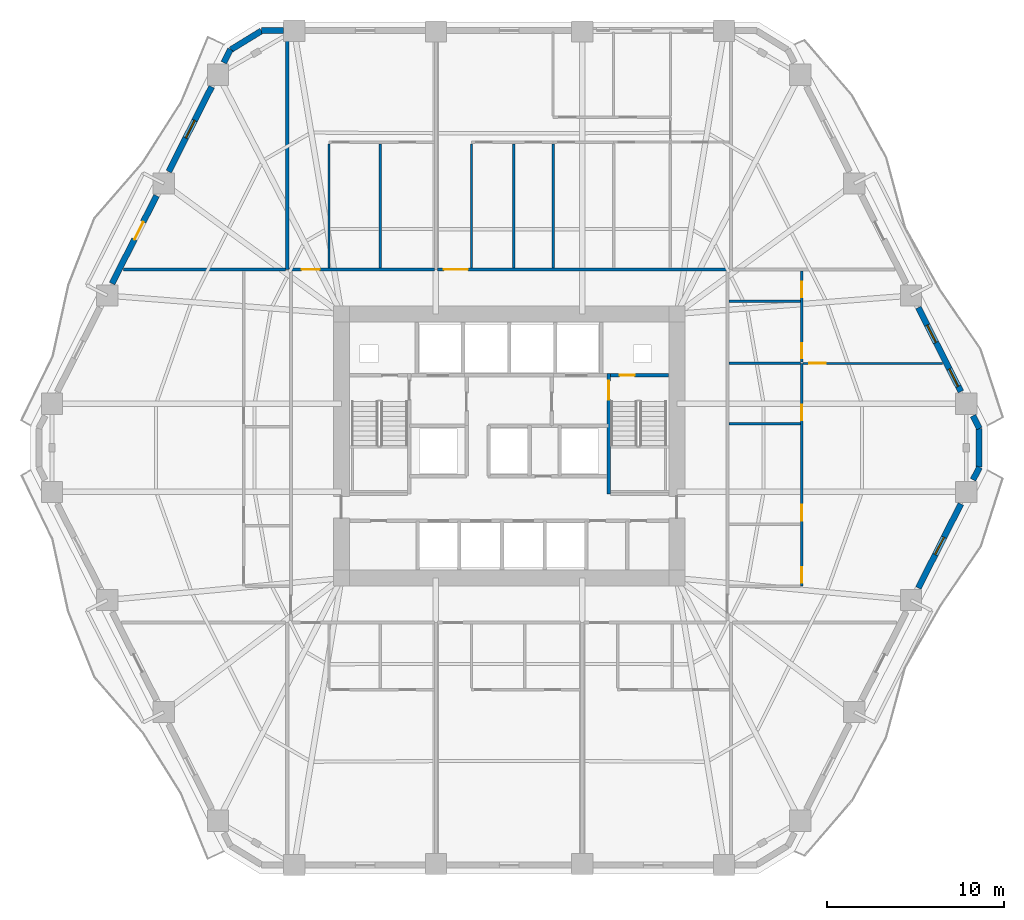
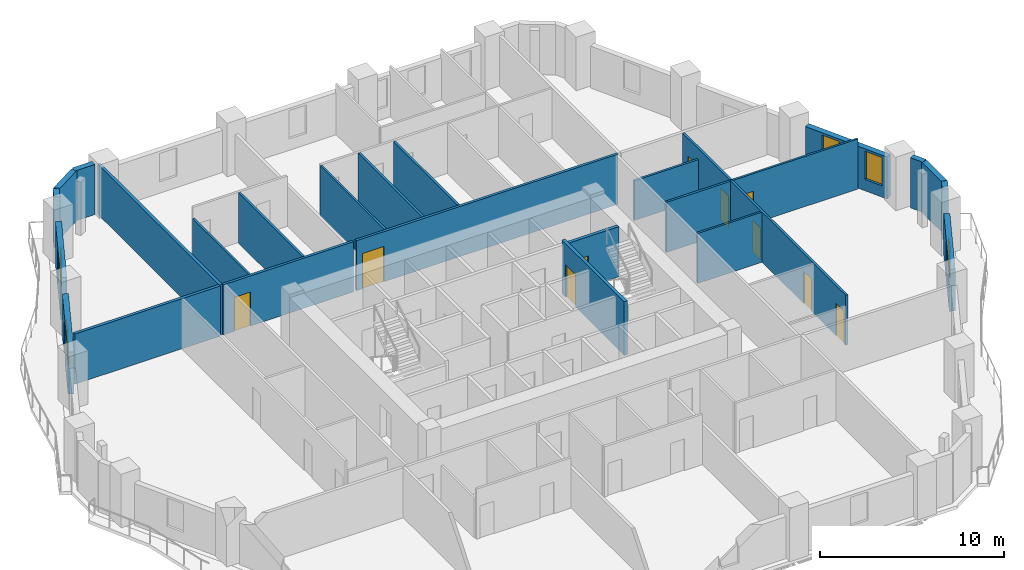
# One storey, part 6 of 11: 27 walls, 11 doors, 4 windows, 15 openings.
"""IFC4 building model written with IfcOpenShell, lengths in metres."""

import ifcopenshell
import ifcopenshell.guid

model = None  # the IFC model being written
_history = None  # IfcOwnerHistory: only IFC2X3 demands one
_inside = {}  # id of a spatial element -> (the spatial element, [elements in it])
_under = {}  # id of a project, library or spatial element -> (it, [spatial elements below it])
_declared = {}  # id of a project -> (the project, [libraries it declares])
_typed = {}  # id of a type object -> (the type object, [elements of that type])
_made_of = {}  # id of a material, layer set ... -> (it, [elements and type objects made of it])


def new_model(schema):
    """Start an empty IFC model of exactly this schema.

    Asked for "IFC4X3", IfcOpenShell would pick the latest addendum, in which some entities
    have other attributes; the version numbers below select the first issue.
    IFC2X3 requires an IfcOwnerHistory on every rooted entity: one is made here for all.
    """
    global model, _history
    if schema == "IFC4X3":
        model = ifcopenshell.file(schema_version=(4, 3, 0, 0))
    else:
        model = ifcopenshell.file(schema=schema)
    _inside.clear()
    _under.clear()
    _declared.clear()
    _typed.clear()
    _made_of.clear()
    _history = None
    if model.schema == "IFC2X3":
        org = make("IfcOrganization", Name="unknown")
        user = make(
            "IfcPersonAndOrganization",
            ThePerson=make("IfcPerson", FamilyName="unknown"),
            TheOrganization=org,
        )
        app = make(
            "IfcApplication",
            ApplicationDeveloper=org,
            Version="unknown",
            ApplicationFullName="unknown",
            ApplicationIdentifier="unknown",
        )
        _history = make(
            "IfcOwnerHistory",
            OwningUser=user,
            OwningApplication=app,
            ChangeAction="ADDED",
            CreationDate=0,
        )
    return model


def make(cls, **values):
    """One entity of the class cls with the attributes given. An attribute that is None is left unset."""
    return model.create_entity(
        cls, **{name: value for name, value in values.items() if value is not None}
    )


def rooted(cls, **values):
    """An entity with a GlobalId (a new one), such as an element, a storey or a relation."""
    return make(cls, GlobalId=ifcopenshell.guid.new(), OwnerHistory=_history, **values)


def si_unit(unit_type, name, prefix=None):
    """IfcSIUnit, for example si_unit("LENGTHUNIT", "METRE", prefix="MILLI")."""
    return make("IfcSIUnit", UnitType=unit_type, Prefix=prefix, Name=name)


def assignment(units):
    """IfcUnitAssignment: the units of a project."""
    return None if units is None else make("IfcUnitAssignment", Units=units)


def point(xyz):
    """IfcCartesianPoint."""
    return None if xyz is None else make("IfcCartesianPoint", Coordinates=xyz)


def direction(xyz):
    """IfcDirection."""
    return None if xyz is None else make("IfcDirection", DirectionRatios=xyz)


def frame(location, z_axis=None, x_axis=None):
    """IfcAxis2Placement3D, a coordinate frame: its origin and axes. An axis left out is left unset."""
    return make(
        "IfcAxis2Placement3D",
        Location=point(location),
        Axis=direction(z_axis),
        RefDirection=direction(x_axis),
    )


def frame_2d(location, x_axis=None):
    """IfcAxis2Placement2D, a coordinate frame in the plane: its origin and x axis."""
    return make(
        "IfcAxis2Placement2D", Location=point(location), RefDirection=direction(x_axis)
    )


def origin():
    """The frame at (0, 0, 0) with its axes left unset."""
    return frame((0.0, 0.0, 0.0))


def place(relative_to, where):
    """IfcLocalPlacement: puts the frame where relative to a parent placement (None: the world)."""
    return make(
        "IfcLocalPlacement", PlacementRelTo=relative_to, RelativePlacement=where
    )


def context(
    kind, dimensions, precision=None, world=None, true_north=None, identifier=None
):
    """IfcGeometricRepresentationContext, for example the 3D "Model" context."""
    return make(
        "IfcGeometricRepresentationContext",
        ContextIdentifier=identifier,
        ContextType=kind,
        CoordinateSpaceDimension=dimensions,
        Precision=precision,
        WorldCoordinateSystem=world,
        TrueNorth=true_north,
    )


def subcontext(parent, identifier, kind, view, scale=None):
    """IfcGeometricRepresentationSubContext, for example "Body" below "Model"."""
    return make(
        "IfcGeometricRepresentationSubContext",
        ContextIdentifier=identifier,
        ContextType=kind,
        ParentContext=parent,
        TargetScale=scale,
        TargetView=view,
    )


def project(units=None, contexts=None):
    """IfcProject with its units and contexts."""
    return rooted(
        "IfcProject",
        Name="project",
        RepresentationContexts=contexts,
        UnitsInContext=assignment(units),
    )


def spatial(cls, under=None, at=None, **own):
    """A site, building, storey or space (cls), placed at a placement, below another one or the project."""
    s = rooted(cls, ObjectPlacement=at, **own)
    if under is not None:
        _under.setdefault(under.id(), (under, []))[1].append(s)
    return s


def profile(cls, at=None, kind="AREA", **sizes):
    """A parametric profile (cls). Its sizes go by their IFC names, for example OverallWidth=200.0."""
    return make(cls, ProfileType=kind, Position=at, **sizes)


def rectangle(**sizes):
    """IfcRectangleProfileDef."""
    return profile("IfcRectangleProfileDef", **sizes)


def extrude(swept, where, along, depth):
    """IfcExtrudedAreaSolid: the profile swept, set in the frame where, extruded along a direction by depth."""
    return make(
        "IfcExtrudedAreaSolid",
        SweptArea=swept,
        Position=where,
        ExtrudedDirection=direction(along),
        Depth=depth,
    )


def shape(context_of_items, identifier, shape_type, items):
    """IfcShapeRepresentation: the items that make up one representation, for example the "Body"."""
    return make(
        "IfcShapeRepresentation",
        ContextOfItems=context_of_items,
        RepresentationIdentifier=identifier,
        RepresentationType=shape_type,
        Items=items,
    )


def material(Name=None, Category=None):
    """IfcMaterial."""
    return make("IfcMaterial", Name=Name, Category=Category)


def layer(
    of_material, thickness, ventilated=None, Name=None, Category=None, Priority=None
):
    """IfcMaterialLayer: one layer of a wall or slab, of a material (None: an air gap)."""
    return make(
        "IfcMaterialLayer",
        Material=of_material,
        LayerThickness=thickness,
        IsVentilated=ventilated,
        Name=Name,
        Category=Category,
        Priority=Priority,
    )


def layer_set(layers, Name=None):
    """IfcMaterialLayerSet."""
    return make("IfcMaterialLayerSet", MaterialLayers=layers, LayerSetName=Name)


def made_of(thing, what):
    """Note that an element or type object is made of a material, layer set ...; save() writes the relation."""
    if what is not None:
        _made_of.setdefault(what.id(), (what, []))[1].append(thing)
    return thing


def type_object(cls, material=None, **own):
    """A type object (cls), such as IfcWallType, which elements share."""
    return made_of(rooted(cls, **own), material)


def element(
    cls,
    number,
    at=None,
    inside=None,
    cuts=None,
    type_object=None,
    material=None,
    context=None,
    identifier="Body",
    shape_type=None,
    held_by="IfcProductDefinitionShape",
    body=None,
    shapes=None,
    **own,
):
    """One element of the class cls, such as IfcWall. Its Tag is "e" and its number.

    at: its placement. inside: the storey or other place that contains it. cuts: it is an
    opening in that element (IfcRelVoidsElement). A single representation is given by context,
    identifier, shape_type and body (its items); several are given by shapes. held_by: the class
    of the entity that holds the representations. save() writes the other relations.
    """
    e = rooted(cls, Tag="e%d" % number, ObjectPlacement=at, **own)
    if body is not None:
        shapes = [shape(context, identifier, shape_type, body)]
    if shapes is not None:
        e.Representation = make(held_by, Representations=shapes)
    if inside is not None:
        _inside.setdefault(inside.id(), (inside, []))[1].append(e)
    if cuts is not None:
        rooted(
            "IfcRelVoidsElement", RelatingBuildingElement=cuts, RelatedOpeningElement=e
        )
    if type_object is not None:
        _typed.setdefault(type_object.id(), (type_object, []))[1].append(e)
    return made_of(e, material)


def fill(opening, filler):
    """IfcRelFillsElement: the door or window that sits in an opening."""
    return rooted(
        "IfcRelFillsElement",
        RelatingOpeningElement=opening,
        RelatedBuildingElement=filler,
    )


def aggregate(whole, parts):
    """IfcRelAggregates: a whole, such as a stair, and the parts it consists of."""
    return rooted("IfcRelAggregates", RelatingObject=whole, RelatedObjects=parts)


def save(model, path):
    """Write the relations noted so far, then the file.

    IfcRelAggregates (storeys below a building ...), IfcRelContainedInSpatialStructure (elements
    in a storey), IfcRelDefinesByType, IfcRelAssociatesMaterial and IfcRelDeclares: one each for
    every whole, place, type object, material and project.
    """
    for whole, parts in _under.values():
        aggregate(whole, parts)
    for where, things in _inside.values():
        rooted(
            "IfcRelContainedInSpatialStructure",
            RelatedElements=things,
            RelatingStructure=where,
        )
    for kind, things in _typed.values():
        rooted("IfcRelDefinesByType", RelatedObjects=things, RelatingType=kind)
    for what, things in _made_of.values():
        rooted("IfcRelAssociatesMaterial", RelatedObjects=things, RelatingMaterial=what)
    for by, libraries in _declared.values():
        rooted("IfcRelDeclares", RelatingContext=by, RelatedDefinitions=libraries)
    model.write(path)


model = new_model("IFC4")

# Units and contexts
model_context = context("Model", 3, precision=1e-05, world=origin(), true_north=direction((0.0, 1.0)))
body_context = subcontext(model_context, "Body", "Model", "MODEL_VIEW")
ifc_project = project(units=[si_unit("LENGTHUNIT", "METRE"), si_unit("AREAUNIT", "SQUARE_METRE"), si_unit("VOLUMEUNIT", "CUBIC_METRE"), si_unit("PLANEANGLEUNIT", "RADIAN"), si_unit("MASSUNIT", "GRAM", prefix="KILO")], contexts=[model_context])

# Site, building, storey
site_placement = place(None, origin())
site = spatial("IfcSite", under=ifc_project, at=site_placement, CompositionType="ELEMENT")
building_placement = place(site_placement, origin())
building = spatial("IfcBuilding", under=site, at=building_placement, Name="Cinnabar Lancet Tower", CompositionType="ELEMENT")
storey_placement = place(building_placement, frame((0.0, 0.0, 60.39990234375)))
storey = spatial("IfcBuildingStorey", under=building, at=storey_placement, Name="L15", CompositionType="ELEMENT", Elevation=60.39990234375)

# Wall, opening, door
ifc_material_1 = material(Name="Acoustic twin-stud gypsum partition", Category="gypsum")
ifc_layer_1 = layer(ifc_material_1, 0.159912109375)
ifc_layer_set_1 = layer_set([ifc_layer_1], Name="Acoustic twin-stud gypsum partition")
wall_type_1 = type_object("IfcWallType", Name="ARC-WL-CORR-160", PredefinedType="PARTITIONING", material=ifc_layer_set_1)
wall_1_placement = place(storey_placement, frame((19.9951171875, 35.85009765625, 0.0), z_axis=(0.0, 0.0, 1.0), x_axis=(1.0, 0.0, 0.0)))
wall_1 = element("IfcWall", 1, at=wall_1_placement, inside=storey, type_object=wall_type_1, Name="L15 Unit N01 Corridor Wall", PredefinedType="PARTITIONING", context=body_context, shape_type="SweptSolid", body=[
    extrude(rectangle(XDim=8.18798828125, YDim=0.159912109375, at=frame_2d((4.093994140625, 0.0))), origin(), (0.0, 0.0, 1.0), 3.330078125),
])
opening_1_placement = place(wall_1_placement, frame((0.705078125, 0.0, 0.0)))
opening_1 = element("IfcOpeningElement", 2, at=opening_1_placement, cuts=wall_1, Name="Opening UD-01", PredefinedType="OPENING", context=body_context, shape_type="SweptSolid", body=[
    extrude(rectangle(XDim=1.02001953125, YDim=2.25, at=frame_2d((0.510009765625, 1.125))), frame((0.0, 0.08984375, 0.0), z_axis=(0.0, -1.0, 0.0), x_axis=(1.0, 0.0, 0.0)), (0.0, 0.0, 1.0), 0.179931640625),
])
ifc_material_2 = material(Name="Solid timber fire-rated apartment entrance door", Category="wood")
door_type_1 = type_object("IfcDoorType", Name="ARC-DR-UNIT", OperationType="NOTDEFINED", PredefinedType="DOOR", material=ifc_material_2)
door_1_placement = place(opening_1_placement, origin())
door_1 = element("IfcDoor", 3, at=door_1_placement, inside=storey, type_object=door_type_1, Name="DR-L15-N01-ENT", OperationType="SINGLE_SWING_LEFT", OverallHeight=2.25, OverallWidth=1.02001953125, PredefinedType="DOOR", context=body_context, shape_type="SweptSolid", body=[
    extrude(rectangle(XDim=1.02001953125, YDim=2.25, at=frame_2d((0.510009765625, 1.125))), frame((0.0, 0.02490234375, 0.0), z_axis=(0.0, -1.0, 0.0), x_axis=(1.0, 0.0, 0.0)), (0.0, 0.0, 1.0), 0.050048828125),
])
fill(opening_1, door_1)

wall_2_placement = place(storey_placement, frame((28.373046875, 35.85009765625, 0.0), z_axis=(0.0, 0.0, 1.0), x_axis=(1.0, 0.0, 0.0)))
wall_2 = element("IfcWall", 4, at=wall_2_placement, inside=storey, type_object=wall_type_1, Name="L15 Unit N02 Corridor Wall", PredefinedType="PARTITIONING", context=body_context, shape_type="SweptSolid", body=[
    extrude(rectangle(XDim=16.431884765625, YDim=0.159912109375, at=frame_2d((8.2158203125, 0.0))), origin(), (0.0, 0.0, 1.0), 3.330078125),
])
opening_2_placement = place(wall_2_placement, frame((0.35498046875, 0.0, 0.0)))
opening_2 = element("IfcOpeningElement", 5, at=opening_2_placement, cuts=wall_2, Name="Opening UD-02", PredefinedType="OPENING", context=body_context, shape_type="SweptSolid", body=[
    extrude(rectangle(XDim=1.35009765625, YDim=2.35009765625, at=frame_2d((0.675048828125, 1.175048828125))), frame((0.0, 0.08984375, 0.0), z_axis=(0.0, -1.0, 0.0), x_axis=(1.0, 0.0, 0.0)), (0.0, 0.0, 1.0), 0.179931640625),
])
ifc_material_3 = material(Name="Double-leaf solid timber penthouse entrance door", Category="wood")
door_type_2 = type_object("IfcDoorType", Name="ARC-DR-UNIT-PH", OperationType="NOTDEFINED", PredefinedType="DOOR", material=ifc_material_3)
door_2_placement = place(opening_2_placement, origin())
door_2 = element("IfcDoor", 6, at=door_2_placement, inside=storey, type_object=door_type_2, Name="DR-L15-N02-ENT", OperationType="SINGLE_SWING_RIGHT", OverallHeight=2.35009765625, OverallWidth=1.35009765625, PredefinedType="DOOR", context=body_context, shape_type="SweptSolid", body=[
    extrude(rectangle(XDim=1.35009765625, YDim=2.35009765625, at=frame_2d((0.675048828125, 1.175048828125))), frame((0.0, 0.02490234375, 0.0), z_axis=(0.0, -1.0, 0.0), x_axis=(1.0, 0.0, 0.0)), (0.0, 0.0, 1.0), 0.050048828125),
])
fill(opening_2, door_2)

# Walls
ifc_material_4 = material(Name="Fire-rated twin-frame acoustic drywall", Category="gypsum")
ifc_layer_2 = layer(ifc_material_4, 0.179931640625)
ifc_layer_set_2 = layer_set([ifc_layer_2], Name="Fire-rated twin-frame acoustic drywall")
wall_type_2 = type_object("IfcWallType", Name="ARC-WL-PARTY-180", PredefinedType="PARTITIONING", material=ifc_layer_set_2)
wall_3_placement = place(storey_placement, frame((19.89990234375, 35.85009765625, 0.0), z_axis=(0.0, 0.0, 1.0), x_axis=(0.0, 1.0, 0.0)))
element("IfcWall", 7, at=wall_3_placement, inside=storey, type_object=wall_type_2, Name="PW-L15-NPTY-199", PredefinedType="PARTITIONING", context=body_context, shape_type="SweptSolid", body=[
    extrude(rectangle(XDim=13.294921875, YDim=0.179931640625, at=frame_2d((6.6474609375, 0.0))), origin(), (0.0, 0.0, 1.0), 3.330078125),
])
wall_4_placement = place(storey_placement, frame((10.6650390625, 35.85009765625, 0.0), z_axis=(0.0, 0.0, 1.0), x_axis=(1.0, 0.0, 0.0)))
element("IfcWall", 8, at=wall_4_placement, inside=storey, type_object=wall_type_2, Name="PW-L15-WNB", PredefinedType="PARTITIONING", context=body_context, shape_type="SweptSolid", body=[
    extrude(rectangle(XDim=9.139892578125, YDim=0.179931640625, at=frame_2d((4.56982421875, 0.0))), origin(), (0.0, 0.0, 1.0), 3.330078125),
])

# Wall, opening, door
ifc_material_5 = material(Name="Autoclaved aerated concrete blockwork", Category="masonry")
ifc_layer_3 = layer(ifc_material_5, 0.199951171875)
ifc_layer_set_3 = layer_set([ifc_layer_3], Name="Autoclaved aerated concrete blockwork")
wall_type_3 = type_object("IfcWallType", Name="ARC-WL-SHAFT-200", PredefinedType="PLUMBINGWALL", material=ifc_layer_set_3)
wall_5_placement = place(storey_placement, frame((38.125, 29.89990234375, 0.0), z_axis=(0.0, 0.0, 1.0), x_axis=(1.0, 0.0, 0.0)))
wall_5 = element("IfcWall", 9, at=wall_5_placement, inside=storey, type_object=wall_type_3, Name="CW-NSH-E-L15", PredefinedType="PLUMBINGWALL", context=body_context, shape_type="SweptSolid", body=[
    extrude(rectangle(XDim=3.27001953125, YDim=0.199951171875, at=frame_2d((1.635009765625, 0.0))), origin(), (0.0, 0.0, 1.0), 3.330078125),
])
opening_3_placement = place(wall_5_placement, frame((0.5, 0.0, 0.0)))
opening_3 = element("IfcOpeningElement", 10, at=opening_3_placement, cuts=wall_5, Name="Opening PD-02", PredefinedType="OPENING", context=body_context, shape_type="SweptSolid", body=[
    extrude(rectangle(XDim=0.85009765625, YDim=2.050048828125, at=frame_2d((0.425048828125, 1.02490234375))), frame((0.0, 0.10986328125, 0.0), z_axis=(0.0, -1.0, 0.0), x_axis=(1.0, 0.0, 0.0)), (0.0, 0.0, 1.0), 0.219970703125),
])
ifc_material_6 = material(Name="Fire-rated steel riser access door", Category="steel")
door_type_3 = type_object("IfcDoorType", Name="ARC-DR-RISER", OperationType="NOTDEFINED", PredefinedType="DOOR", material=ifc_material_6)
door_3_placement = place(opening_3_placement, origin())
door_3 = element("IfcDoor", 11, at=door_3_placement, inside=storey, type_object=door_type_3, Name="L15 East Riser Access Door", OperationType="SINGLE_SWING_RIGHT", OverallHeight=2.050048828125, OverallWidth=0.85009765625, PredefinedType="DOOR", context=body_context, shape_type="SweptSolid", body=[
    extrude(rectangle(XDim=0.85009765625, YDim=2.050048828125, at=frame_2d((0.425048828125, 1.02490234375))), frame((0.0, 0.02490234375, 0.0), z_axis=(0.0, -1.0, 0.0), x_axis=(1.0, 0.0, 0.0)), (0.0, 0.0, 1.0), 0.050048828125),
])
fill(opening_3, door_3)

# Walls
ifc_material_7 = material(Name="Gypsum plasterboard stud partition", Category="gypsum")
ifc_layer_4 = layer(ifc_material_7, 0.125)
ifc_layer_set_4 = layer_set([ifc_layer_4], Name="Gypsum plasterboard stud partition")
wall_type_4 = type_object("IfcWallType", Name="ARC-WL-UNIT-125", PredefinedType="PARTITIONING", material=ifc_layer_set_4)
wall_6_placement = place(storey_placement, frame((22.25, 35.93505859375, 0.0), z_axis=(0.0, 0.0, 1.0), x_axis=(0.0, 1.0, 0.0)))
element("IfcWall", 12, at=wall_6_placement, inside=storey, type_object=wall_type_4, Name="UW-L15-N01-FOYE", PredefinedType="PARTITIONING", context=body_context, shape_type="SweptSolid", body=[
    extrude(rectangle(XDim=6.989013671875, YDim=0.125, at=frame_2d((3.49462890625, 0.0))), origin(), (0.0, 0.0, 1.0), 2.635986328125),
])
wall_7_placement = place(storey_placement, frame((30.278076171875, 35.93505859375, 0.0), z_axis=(0.0, 0.0, 1.0), x_axis=(0.0, 1.0, 0.0)))
element("IfcWall", 13, at=wall_7_placement, inside=storey, type_object=wall_type_4, Name="UW-L15-N02-FOYE", PredefinedType="PARTITIONING", context=body_context, shape_type="SweptSolid", body=[
    extrude(rectangle(XDim=6.989013671875, YDim=0.125, at=frame_2d((3.49462890625, 0.0))), origin(), (0.0, 0.0, 1.0), 3.330078125),
])

# Wall, opening, door
wall_8_placement = place(storey_placement, frame((48.97509765625, 30.555908203125, 0.0), z_axis=(0.0, 0.0, 1.0), x_axis=(1.0, 0.0, 0.0)))
wall_8 = element("IfcWall", 14, at=wall_8_placement, inside=storey, type_object=wall_type_4, Name="UW-L15-E01-MBN", PredefinedType="PARTITIONING", context=body_context, shape_type="SweptSolid", body=[
    extrude(rectangle(XDim=7.85400390625, YDim=0.125, at=frame_2d((3.927001953125, 0.0))), origin(), (0.0, 0.0, 1.0), 3.330078125),
])
opening_4_placement = place(wall_8_placement, frame((0.35009765625, 0.0, 0.0)))
opening_4 = element("IfcOpeningElement", 15, at=opening_4_placement, cuts=wall_8, Name="Opening RD-01", PredefinedType="OPENING", context=body_context, shape_type="SweptSolid", body=[
    extrude(rectangle(XDim=0.919921875, YDim=2.14990234375, at=frame_2d((0.4599609375, 1.074951171875))), frame((0.0, 0.072509765625, 0.0), z_axis=(0.0, -1.0, 0.0), x_axis=(1.0, 0.0, 0.0)), (0.0, 0.0, 1.0), 0.14501953125),
])
ifc_material_8 = material(Name="Engineered timber bedroom door", Category="wood")
door_type_4 = type_object("IfcDoorType", Name="ARC-DR-ROOM", OperationType="NOTDEFINED", PredefinedType="DOOR", material=ifc_material_8)
door_4_placement = place(opening_4_placement, origin())
door_4 = element("IfcDoor", 16, at=door_4_placement, inside=storey, type_object=door_type_4, Name="DR-L15-E01-MBD", OperationType="SINGLE_SWING_LEFT", OverallHeight=2.14990234375, OverallWidth=0.919921875, PredefinedType="DOOR", context=body_context, shape_type="SweptSolid", body=[
    extrude(rectangle(XDim=0.919921875, YDim=2.14990234375, at=frame_2d((0.4599609375, 1.074951171875))), frame((0.0, 0.02490234375, 0.0), z_axis=(0.0, -1.0, 0.0), x_axis=(1.0, 0.0, 0.0)), (0.0, 0.0, 1.0), 0.050048828125),
])
fill(opening_4, door_4)

# Walls
wall_9_placement = place(storey_placement, frame((44.784912109375, 27.156005859375, 0.0), z_axis=(0.0, 0.0, 1.0), x_axis=(1.0, 0.0, 0.0)))
element("IfcWall", 17, at=wall_9_placement, inside=storey, type_object=wall_type_4, Name="UW-L15-E01-UDV", PredefinedType="PARTITIONING", context=body_context, shape_type="SweptSolid", body=[
    extrude(rectangle(XDim=4.030029296875, YDim=0.125, at=frame_2d((2.01513671875, 0.0))), origin(), (0.0, 0.0, 1.0), 3.330078125),
])
ifc_material_9 = material(Name="Moisture-resistant cement-board plumbing wall", Category="masonry")
ifc_layer_5 = layer(ifc_material_9, 0.139892578125)
ifc_layer_set_5 = layer_set([ifc_layer_5], Name="Moisture-resistant cement-board plumbing wall")
wall_type_5 = type_object("IfcWallType", Name="ARC-WL-WET-140", PredefinedType="PLUMBINGWALL", material=ifc_layer_set_5)
for number, where, z_axis, x_axis, name in (
    (18, (25.14306640625, 35.93505859375, 0.0), (0.0, 0.0, 1.0), (0.0, 1.0, 0.0), "UW-L15-N01-KDV"),
    (19, (32.669921875, 35.93505859375, 0.0), (0.0, 0.0, 1.0), (0.0, 1.0, 0.0), "UW-L15-N02-KDV"),
    (20, (34.8779296875, 35.93505859375, 0.0), (0.0, 0.0, 1.0), (0.0, 1.0, 0.0), "UW-L15-N02-ENSW"),
):
    element("IfcWall", number, at=place(storey_placement, frame(where, z_axis=z_axis, x_axis=x_axis)), inside=storey, type_object=wall_type_5, Name=name, PredefinedType="PLUMBINGWALL", context=body_context, shape_type="SweptSolid", body=[
        extrude(rectangle(XDim=6.989013671875, YDim=0.139892578125, at=frame_2d((3.49462890625, 0.0))), origin(), (0.0, 0.0, 1.0), 3.330078125),
    ])

# Wall, openings, doors
wall_10_placement = place(storey_placement, frame((48.89990234375, 18.0, 0.0), z_axis=(0.0, 0.0, 1.0), x_axis=(0.0, 1.0, 0.0)))
wall_10 = element("IfcWall", 21, at=wall_10_placement, inside=storey, type_object=wall_type_5, Name="UW-L15-E01-SPL", PredefinedType="PLUMBINGWALL", context=body_context, shape_type="SweptSolid", body=[
    extrude(rectangle(XDim=12.555908203125, YDim=0.139892578125, at=frame_2d((6.27783203125, 0.0))), origin(), (0.0, 0.0, 1.0), 3.330078125),
])
opening_5_placement = place(wall_10_placement, frame((0.199951171875, 0.0, 0.0)))
opening_5 = element("IfcOpeningElement", 22, at=opening_5_placement, cuts=wall_10, Name="Opening RD-02", PredefinedType="OPENING", context=body_context, shape_type="SweptSolid", body=[
    extrude(rectangle(XDim=0.8798828125, YDim=2.14990234375, at=frame_2d((0.43994140625, 1.074951171875))), frame((0.0, 0.079833984375, 0.0), z_axis=(0.0, -1.0, 0.0), x_axis=(1.0, 0.0, 0.0)), (0.0, 0.0, 1.0), 0.159912109375),
])
opening_6_placement = place(wall_10_placement, frame((3.699951171875, 0.0, 0.0)))
opening_6 = element("IfcOpeningElement", 23, at=opening_6_placement, cuts=wall_10, Name="Opening RD-02", PredefinedType="OPENING", context=body_context, shape_type="SweptSolid", body=[
    extrude(rectangle(XDim=0.8798828125, YDim=2.14990234375, at=frame_2d((0.43994140625, 1.074951171875))), frame((0.0, 0.079833984375, 0.0), z_axis=(0.0, -1.0, 0.0), x_axis=(1.0, 0.0, 0.0)), (0.0, 0.0, 1.0), 0.159912109375),
])
opening_7_placement = place(wall_10_placement, frame((9.35595703125, 0.0, 0.0)))
opening_7 = element("IfcOpeningElement", 24, at=opening_7_placement, cuts=wall_10, Name="Opening BD-01", PredefinedType="OPENING", context=body_context, shape_type="SweptSolid", body=[
    extrude(rectangle(XDim=0.860107421875, YDim=2.10009765625, at=frame_2d((0.43017578125, 1.050048828125))), frame((0.0, 0.079833984375, 0.0), z_axis=(0.0, -1.0, 0.0), x_axis=(1.0, 0.0, 0.0)), (0.0, 0.0, 1.0), 0.159912109375),
])
ifc_material_10 = material(Name="Moisture-resistant timber bathroom door", Category="wood")
door_type_5 = type_object("IfcDoorType", Name="ARC-DR-BATH", OperationType="NOTDEFINED", PredefinedType="DOOR", material=ifc_material_10)
door_5_placement = place(opening_7_placement, origin())
door_5 = element("IfcDoor", 25, at=door_5_placement, inside=storey, type_object=door_type_5, Name="DR-L15-E01-BTH", OperationType="SINGLE_SWING_RIGHT", OverallHeight=2.10009765625, OverallWidth=0.860107421875, PredefinedType="DOOR", context=body_context, shape_type="SweptSolid", body=[
    extrude(rectangle(XDim=0.860107421875, YDim=2.10009765625, at=frame_2d((0.43017578125, 1.050048828125))), frame((0.0, 0.02490234375, 0.0), z_axis=(0.0, -1.0, 0.0), x_axis=(1.0, 0.0, 0.0)), (0.0, 0.0, 1.0), 0.050048828125),
])
fill(opening_7, door_5)
ifc_material_11 = material(Name="Engineered timber study door", Category="wood")
door_type_6 = type_object("IfcDoorType", Name="ARC-DR-STUDY", OperationType="NOTDEFINED", PredefinedType="DOOR", material=ifc_material_11)
door_6_placement = place(opening_5_placement, origin())
door_6 = element("IfcDoor", 26, at=door_6_placement, inside=storey, type_object=door_type_6, Name="DR-L15-E01-KIT", OperationType="SINGLE_SWING_RIGHT", OverallHeight=2.14990234375, OverallWidth=0.8798828125, PredefinedType="DOOR", context=body_context, shape_type="SweptSolid", body=[
    extrude(rectangle(XDim=0.8798828125, YDim=2.14990234375, at=frame_2d((0.43994140625, 1.074951171875))), frame((0.0, 0.02490234375, 0.0), z_axis=(0.0, -1.0, 0.0), x_axis=(1.0, 0.0, 0.0)), (0.0, 0.0, 1.0), 0.050048828125),
])
fill(opening_5, door_6)
door_7_placement = place(opening_6_placement, origin())
door_7 = element("IfcDoor", 27, at=door_7_placement, inside=storey, type_object=door_type_6, Name="DR-L15-E01-UTL", OperationType="SINGLE_SWING_LEFT", OverallHeight=2.14990234375, OverallWidth=0.8798828125, PredefinedType="DOOR", context=body_context, shape_type="SweptSolid", body=[
    extrude(rectangle(XDim=0.8798828125, YDim=2.14990234375, at=frame_2d((0.43994140625, 1.074951171875))), frame((0.0, 0.02490234375, 0.0), z_axis=(0.0, -1.0, 0.0), x_axis=(1.0, 0.0, 0.0)), (0.0, 0.0, 1.0), 0.050048828125),
])
fill(opening_6, door_7)

wall_11_placement = place(storey_placement, frame((48.89990234375, 30.6259765625, 0.0), z_axis=(0.0, 0.0, 1.0), x_axis=(0.0, 1.0, 0.0)))
wall_11 = element("IfcWall", 28, at=wall_11_placement, inside=storey, type_object=wall_type_5, Name="UW-L15-E01-SPM", PredefinedType="PLUMBINGWALL", context=body_context, shape_type="SweptSolid", body=[
    extrude(rectangle(XDim=5.12890625, YDim=0.139892578125, at=frame_2d((2.564453125, 0.0))), origin(), (0.0, 0.0, 1.0), 3.330078125),
])
opening_8_placement = place(wall_11_placement, frame((0.219970703125, 0.0, 0.0)))
opening_8 = element("IfcOpeningElement", 29, at=opening_8_placement, cuts=wall_11, Name="Opening BD-01", PredefinedType="OPENING", context=body_context, shape_type="SweptSolid", body=[
    extrude(rectangle(XDim=0.860107421875, YDim=2.10009765625, at=frame_2d((0.43017578125, 1.050048828125))), frame((0.0, 0.079833984375, 0.0), z_axis=(0.0, -1.0, 0.0), x_axis=(1.0, 0.0, 0.0)), (0.0, 0.0, 1.0), 0.159912109375),
])
opening_9_placement = place(wall_11_placement, frame((3.653076171875, 0.0, 0.0)))
opening_9 = element("IfcOpeningElement", 30, at=opening_9_placement, cuts=wall_11, Name="Opening RD-02", PredefinedType="OPENING", context=body_context, shape_type="SweptSolid", body=[
    extrude(rectangle(XDim=0.8798828125, YDim=2.14990234375, at=frame_2d((0.43994140625, 1.074951171875))), frame((0.0, 0.079833984375, 0.0), z_axis=(0.0, -1.0, 0.0), x_axis=(1.0, 0.0, 0.0)), (0.0, 0.0, 1.0), 0.159912109375),
])
door_8_placement = place(opening_8_placement, origin())
door_8 = element("IfcDoor", 31, at=door_8_placement, inside=storey, type_object=door_type_5, Name="DR-L15-E01-ENS", OperationType="SINGLE_SWING_LEFT", OverallHeight=2.10009765625, OverallWidth=0.860107421875, PredefinedType="DOOR", context=body_context, shape_type="SweptSolid", body=[
    extrude(rectangle(XDim=0.860107421875, YDim=2.10009765625, at=frame_2d((0.43017578125, 1.050048828125))), frame((0.0, 0.02490234375, 0.0), z_axis=(0.0, -1.0, 0.0), x_axis=(1.0, 0.0, 0.0)), (0.0, 0.0, 1.0), 0.050048828125),
])
fill(opening_8, door_8)
door_9_placement = place(opening_9_placement, origin())
door_9 = element("IfcDoor", 32, at=door_9_placement, inside=storey, type_object=door_type_6, Name="DR-L15-E01-EWDR", OperationType="SINGLE_SWING_RIGHT", OverallHeight=2.14990234375, OverallWidth=0.8798828125, PredefinedType="DOOR", context=body_context, shape_type="SweptSolid", body=[
    extrude(rectangle(XDim=0.8798828125, YDim=2.14990234375, at=frame_2d((0.43994140625, 1.074951171875))), frame((0.0, 0.02490234375, 0.0), z_axis=(0.0, -1.0, 0.0), x_axis=(1.0, 0.0, 0.0)), (0.0, 0.0, 1.0), 0.050048828125),
])
fill(opening_9, door_9)

# Walls
wall_12_placement = place(storey_placement, frame((44.784912109375, 30.555908203125, 0.0), z_axis=(0.0, 0.0, 1.0), x_axis=(1.0, 0.0, 0.0)))
element("IfcWall", 33, at=wall_12_placement, inside=storey, type_object=wall_type_5, Name="UW-L15-E01-ENSN", PredefinedType="PLUMBINGWALL", context=body_context, shape_type="SweptSolid", body=[
    extrude(rectangle(XDim=4.030029296875, YDim=0.139892578125, at=frame_2d((2.01513671875, 0.0))), origin(), (0.0, 0.0, 1.0), 3.330078125),
])
wall_13_placement = place(storey_placement, frame((44.784912109375, 34.05908203125, 0.0), z_axis=(0.0, 0.0, 1.0), x_axis=(1.0, 0.0, 0.0)))
element("IfcWall", 34, at=wall_13_placement, inside=storey, type_object=wall_type_5, Name="UW-L15-E01-EWDV", PredefinedType="PLUMBINGWALL", context=body_context, shape_type="SweptSolid", body=[
    extrude(rectangle(XDim=4.030029296875, YDim=0.139892578125, at=frame_2d((2.01513671875, 0.0))), origin(), (0.0, 0.0, 1.0), 2.635986328125),
])
ifc_material_12 = material(Name="Cinnabar red clay brick", Category="masonry")
ifc_layer_6 = layer(ifc_material_12, 0.340087890625)
ifc_layer_set_6 = layer_set([ifc_layer_6], Name="Cinnabar red clay brick")
wall_type_6 = type_object("IfcWallType", Name="ENV-WL-BRK-RED-340", PredefinedType="STANDARD", material=ifc_layer_set_6)
wall_14_placement = place(storey_placement, frame((58.887939453125, 24.714111328125, 0.0), z_axis=(0.0, 0.0, 1.0), x_axis=(0.0, 1.0, 0.0)))
element("IfcWall", 35, at=wall_14_placement, inside=storey, type_object=wall_type_6, Name="L15 Chamfered Corner Brick Pier 3.1", PredefinedType="STANDARD", context=body_context, shape_type="SweptSolid", body=[
    extrude(rectangle(XDim=2.171875, YDim=0.340087890625, at=frame_2d((1.0859375, 0.0))), origin(), (0.0, 0.0, 1.0), 3.330078125),
])
wall_15_placement = place(storey_placement, frame((18.43896484375, 49.294921875, 0.0), z_axis=(0.0, 0.0, 1.0), x_axis=(-0.851870104345, -0.523753114857, 0.0)))
element("IfcWall", 36, at=wall_15_placement, inside=storey, type_object=wall_type_6, Name="L15 Chamfered Corner Brick Pier 5.1", PredefinedType="STANDARD", context=body_context, shape_type="SweptSolid", body=[
    extrude(rectangle(XDim=2.017822265625, YDim=0.340087890625, at=frame_2d((1.0087890625, 0.0))), origin(), (0.0, 0.0, 1.0), 3.330078125),
])

# Wall, opening, window
wall_16_placement = place(storey_placement, frame((55.465087890625, 17.90087890625, 0.0), z_axis=(0.0, 0.0, 1.0), x_axis=(0.451572088722, 0.892234637686, 0.0)))
wall_16 = element("IfcWall", 37, at=wall_16_placement, inside=storey, type_object=wall_type_6, Name="L15 Face 2 Masonry Bay Wall 4", PredefinedType="STANDARD", context=body_context, shape_type="SweptSolid", body=[
    extrude(rectangle(XDim=5.3037109375, YDim=0.340087890625, at=frame_2d((2.65185546875, 0.0))), origin(), (0.0, 0.0, 1.0), 2.787109375),
])
opening_10_placement = place(wall_16_placement, frame((2.10205078125, 0.0, 0.75)))
opening_10 = element("IfcOpeningElement", 38, at=opening_10_placement, cuts=wall_16, Name="Opening WN-04", PredefinedType="OPENING", context=body_context, shape_type="SweptSolid", body=[
    extrude(rectangle(XDim=1.10009765625, YDim=1.886962890625, at=frame_2d((0.550048828125, 0.943359375))), frame((0.0, 0.179931640625, 0.0), z_axis=(0.0, -1.0, 0.0), x_axis=(1.0, 0.0, 0.0)), (0.0, 0.0, 1.0), 0.360107421875),
])
ifc_material_13 = material(Name="Thermally broken bronze-anodized aluminium tall lancet window", Category="aluminium")
window_type = type_object("IfcWindowType", Name="ENV-WN-LANCET-1100", PartitioningType="SINGLE_PANEL", PredefinedType="WINDOW", material=ifc_material_13)
window_1_placement = place(opening_10_placement, origin())
window_1 = element("IfcWindow", 39, at=window_1_placement, inside=storey, type_object=window_type, Name="L15 Face 2 Gothic Lancet Window 4", OverallHeight=1.886962890625, OverallWidth=1.10009765625, PartitioningType="SINGLE_PANEL", PredefinedType="WINDOW", context=body_context, shape_type="SweptSolid", body=[
    extrude(rectangle(XDim=1.10009765625, YDim=1.886962890625, at=frame_2d((0.550048828125, 0.943359375))), frame((0.0, 0.030029296875, 0.0), z_axis=(0.0, -1.0, 0.0), x_axis=(1.0, 0.0, 0.0)), (0.0, 0.0, 1.0), 0.06005859375),
])
fill(opening_10, window_1)

# Walls
for number, where, z_axis, x_axis, name in (
    (40, (58.548095703125, 23.9951171875, 0.0), (0.0, 0.0, 1.0), (0.452101093511, 0.891966704113, 0.0), "L15 Face 2 Masonry Bay Wall 5"),
    (41, (58.908935546875, 26.89306640625, 0.0), (0.0, 0.0, 1.0), (-0.452101093511, 0.891966704113, 0.0), "L15 Face 3 Masonry Bay Wall 1"),
):
    element("IfcWall", number, at=place(storey_placement, frame(where, z_axis=z_axis, x_axis=x_axis)), inside=storey, type_object=wall_type_6, Name=name, PredefinedType="STANDARD", context=body_context, shape_type="SweptSolid", body=[
        extrude(rectangle(XDim=0.798095703125, YDim=0.340087890625, at=frame_2d((0.39892578125, 0.0))), origin(), (0.0, 0.0, 1.0), 3.330078125),
    ])

# Wall, openings, windows
wall_17_placement = place(storey_placement, frame((57.860107421875, 28.967041015625, 0.0), z_axis=(0.0, 0.0, 1.0), x_axis=(-0.451590635984, 0.892225250422, 0.0)))
wall_17 = element("IfcWall", 42, at=wall_17_placement, inside=storey, type_object=wall_type_6, Name="L15 Face 3 Masonry Bay Wall 2", PredefinedType="STANDARD", context=body_context, shape_type="SweptSolid", body=[
    extrude(rectangle(XDim=5.303466796875, YDim=0.340087890625, at=frame_2d((2.65185546875, 0.0))), origin(), (0.0, 0.0, 1.0), 2.787109375),
])
opening_11_placement = place(wall_17_placement, frame((0.33203125, 0.0, 0.75)))
opening_11 = element("IfcOpeningElement", 43, at=opening_11_placement, cuts=wall_17, Name="Opening WN-04", PredefinedType="OPENING", context=body_context, shape_type="SweptSolid", body=[
    extrude(rectangle(XDim=1.10009765625, YDim=1.886962890625, at=frame_2d((0.550048828125, 0.943359375))), frame((0.0, 0.179931640625, 0.0), z_axis=(0.0, -1.0, 0.0), x_axis=(1.0, 0.0, 0.0)), (0.0, 0.0, 1.0), 0.360107421875),
])
opening_12_placement = place(wall_17_placement, frame((3.10302734375, 0.0, 0.75)))
opening_12 = element("IfcOpeningElement", 44, at=opening_12_placement, cuts=wall_17, Name="Opening WN-04", PredefinedType="OPENING", context=body_context, shape_type="SweptSolid", body=[
    extrude(rectangle(XDim=1.10009765625, YDim=1.886962890625, at=frame_2d((0.550048828125, 0.943359375))), frame((0.0, 0.179931640625, 0.0), z_axis=(0.0, -1.0, 0.0), x_axis=(1.0, 0.0, 0.0)), (0.0, 0.0, 1.0), 0.360107421875),
])
window_2_placement = place(opening_11_placement, origin())
window_2 = element("IfcWindow", 45, at=window_2_placement, inside=storey, type_object=window_type, Name="L15 Face 3 Gothic Lancet Window 2", OverallHeight=1.886962890625, OverallWidth=1.10009765625, PartitioningType="SINGLE_PANEL", PredefinedType="WINDOW", context=body_context, shape_type="SweptSolid", body=[
    extrude(rectangle(XDim=1.10009765625, YDim=1.886962890625, at=frame_2d((0.550048828125, 0.943359375))), frame((0.0, 0.030029296875, 0.0), z_axis=(0.0, -1.0, 0.0), x_axis=(1.0, 0.0, 0.0)), (0.0, 0.0, 1.0), 0.06005859375),
])
fill(opening_11, window_2)
window_3_placement = place(opening_12_placement, origin())
window_3 = element("IfcWindow", 46, at=window_3_placement, inside=storey, type_object=window_type, Name="L15 Split-Bay Gothic Lancet Window 36", OverallHeight=1.886962890625, OverallWidth=1.10009765625, PartitioningType="SINGLE_PANEL", PredefinedType="WINDOW", context=body_context, shape_type="SweptSolid", body=[
    extrude(rectangle(XDim=1.10009765625, YDim=1.886962890625, at=frame_2d((0.550048828125, 0.943359375))), frame((0.0, 0.030029296875, 0.0), z_axis=(0.0, -1.0, 0.0), x_axis=(1.0, 0.0, 0.0)), (0.0, 0.0, 1.0), 0.06005859375),
])
fill(opening_12, window_3)

# Walls
wall_18_placement = place(storey_placement, frame((19.678955078125, 49.320068359375, 0.0), z_axis=(0.0, 0.0, 1.0), x_axis=(-1.0, 0.0, 0.0)))
element("IfcWall", 47, at=wall_18_placement, inside=storey, type_object=wall_type_6, Name="L15 Face 4 Masonry Bay Wall 5", PredefinedType="STANDARD", context=body_context, shape_type="SweptSolid", body=[
    extrude(rectangle(XDim=1.244873046875, YDim=0.340087890625, at=frame_2d((0.62255859375, 0.0))), origin(), (0.0, 0.0, 1.0), 3.330078125),
])
wall_19_placement = place(storey_placement, frame((16.699951171875, 48.25390625, 0.0), z_axis=(0.0, 0.0, 1.0), x_axis=(-0.451995771866, -0.892020079491, 0.0)))
element("IfcWall", 48, at=wall_19_placement, inside=storey, type_object=wall_type_6, Name="L15 Face 5 Masonry Bay Wall 1", PredefinedType="STANDARD", context=body_context, shape_type="SweptSolid", body=[
    extrude(rectangle(XDim=0.836181640625, YDim=0.340087890625, at=frame_2d((0.41796875, 0.0))), origin(), (0.0, 0.0, 1.0), 3.330078125),
])

# Wall, opening, window
wall_20_placement = place(storey_placement, frame((15.634033203125, 46.14599609375, 0.0), z_axis=(0.0, 0.0, 1.0), x_axis=(-0.451697561555, -0.892171123095, 0.0)))
wall_20 = element("IfcWall", 49, at=wall_20_placement, inside=storey, type_object=wall_type_6, Name="L15 Face 5 Masonry Bay Wall 2", PredefinedType="STANDARD", context=body_context, shape_type="SweptSolid", body=[
    extrude(rectangle(XDim=5.350830078125, YDim=0.340087890625, at=frame_2d((2.67529296875, 0.0))), origin(), (0.0, 0.0, 1.0), 2.787109375),
])
opening_13_placement = place(wall_20_placement, frame((2.125, 0.0, 0.75)))
opening_13 = element("IfcOpeningElement", 50, at=opening_13_placement, cuts=wall_20, Name="Opening WN-04", PredefinedType="OPENING", context=body_context, shape_type="SweptSolid", body=[
    extrude(rectangle(XDim=1.10009765625, YDim=1.886962890625, at=frame_2d((0.550048828125, 0.943359375))), frame((0.0, 0.179931640625, 0.0), z_axis=(0.0, -1.0, 0.0), x_axis=(1.0, 0.0, 0.0)), (0.0, 0.0, 1.0), 0.360107421875),
])
window_4_placement = place(opening_13_placement, origin())
window_4 = element("IfcWindow", 51, at=window_4_placement, inside=storey, type_object=window_type, Name="L15 Face 5 Gothic Lancet Window 2", OverallHeight=1.886962890625, OverallWidth=1.10009765625, PartitioningType="SINGLE_PANEL", PredefinedType="WINDOW", context=body_context, shape_type="SweptSolid", body=[
    extrude(rectangle(XDim=1.10009765625, YDim=1.886962890625, at=frame_2d((0.550048828125, 0.943359375))), frame((0.0, 0.030029296875, 0.0), z_axis=(0.0, -1.0, 0.0), x_axis=(1.0, 0.0, 0.0)), (0.0, 0.0, 1.0), 0.06005859375),
])
fill(opening_13, window_4)

# Wall, opening, door
wall_21_placement = place(storey_placement, frame((12.529052734375, 40.010009765625, 0.0), z_axis=(0.0, 0.0, 1.0), x_axis=(-0.451627137896, -0.892206774417, 0.0)))
wall_21 = element("IfcWall", 52, at=wall_21_placement, inside=storey, type_object=wall_type_6, Name="L15 Face 5 Masonry Bay Wall 3", PredefinedType="STANDARD", context=body_context, shape_type="SweptSolid", body=[
    extrude(rectangle(XDim=5.546875, YDim=0.340087890625, at=frame_2d((2.7734375, 0.0))), origin(), (0.0, 0.0, 1.0), 2.787109375),
])
opening_14_placement = place(wall_21_placement, frame((1.656005859375, 0.0, 0.0)))
opening_14 = element("IfcOpeningElement", 53, at=opening_14_placement, cuts=wall_21, Name="Opening TD-01", PredefinedType="OPENING", context=body_context, shape_type="SweptSolid", body=[
    extrude(rectangle(XDim=1.10009765625, YDim=2.25, at=frame_2d((0.550048828125, 1.125))), frame((0.0, 0.179931640625, 0.0), z_axis=(0.0, -1.0, 0.0), x_axis=(1.0, 0.0, 0.0)), (0.0, 0.0, 1.0), 0.360107421875),
])
ifc_material_14 = material(Name="Thermally broken low-E glazed balcony terrace door", Category="wood")
door_type_7 = type_object("IfcDoorType", Name="ARC-DR-BALC", OperationType="NOTDEFINED", PredefinedType="DOOR", material=ifc_material_14)
door_10_placement = place(opening_14_placement, origin())
door_10 = element("IfcDoor", 54, at=door_10_placement, inside=storey, type_object=door_type_7, Name="L15 Face 5 Glazed Terrace Door", OperationType="SINGLE_SWING_RIGHT", OverallHeight=2.25, OverallWidth=1.10009765625, PredefinedType="DOOR", context=body_context, shape_type="SweptSolid", body=[
    extrude(rectangle(XDim=1.10009765625, YDim=2.25, at=frame_2d((0.550048828125, 1.125))), frame((0.0, 0.02490234375, 0.0), z_axis=(0.0, -1.0, 0.0), x_axis=(1.0, 0.0, 0.0)), (0.0, 0.0, 1.0), 0.050048828125),
])
fill(opening_14, door_10)

ifc_material_15 = material(Name="Concrete C50/60", Category="concrete")
ifc_layer_7 = layer(ifc_material_15, 0.199951171875)
ifc_layer_set_7 = layer_set([ifc_layer_7], Name="Concrete C50/60")
wall_type_7 = type_object("IfcWallType", Name="STR-WL-STAIR-200", PredefinedType="SHEAR", material=ifc_layer_set_7)
wall_22_placement = place(storey_placement, frame((38.02001953125, 23.199951171875, 0.0), z_axis=(0.0, 0.0, 1.0), x_axis=(0.0, 1.0, 0.0)))
wall_22 = element("IfcWall", 55, at=wall_22_placement, inside=storey, type_object=wall_type_7, Name="L15 Stair ST-2 Structural Enclosure Wall", PredefinedType="SHEAR", context=body_context, shape_type="SweptSolid", body=[
    extrude(rectangle(XDim=6.780029296875, YDim=0.199951171875, at=frame_2d((3.39013671875, 0.0))), origin(), (0.0, 0.0, 1.0), 3.550048828125),
])
opening_15_placement = place(wall_22_placement, frame((5.320068359375, 0.0, 0.0)))
opening_15 = element("IfcOpeningElement", 56, at=opening_15_placement, cuts=wall_22, Name="Opening SD-01", PredefinedType="OPENING", context=body_context, shape_type="SweptSolid", body=[
    extrude(rectangle(XDim=1.050048828125, YDim=2.14990234375, at=frame_2d((0.52490234375, 1.074951171875))), frame((0.0, 0.10986328125, 0.0), z_axis=(0.0, -1.0, 0.0), x_axis=(1.0, 0.0, 0.0)), (0.0, 0.0, 1.0), 0.219970703125),
])
ifc_material_16 = material(Name="Fire-rated steel stair exit door", Category="steel")
door_type_8 = type_object("IfcDoorType", Name="ARC-DR-STAIR", OperationType="NOTDEFINED", PredefinedType="DOOR", material=ifc_material_16)
door_11_placement = place(opening_15_placement, origin())
door_11 = element("IfcDoor", 57, at=door_11_placement, inside=storey, type_object=door_type_8, Name="L15 Stair ST-2 Fire Door", OperationType="SINGLE_SWING_RIGHT", OverallHeight=2.14990234375, OverallWidth=1.050048828125, PredefinedType="DOOR", context=body_context, shape_type="SweptSolid", body=[
    extrude(rectangle(XDim=1.050048828125, YDim=2.14990234375, at=frame_2d((0.52490234375, 1.074951171875))), frame((0.0, 0.02490234375, 0.0), z_axis=(0.0, -1.0, 0.0), x_axis=(1.0, 0.0, 0.0)), (0.0, 0.0, 1.0), 0.050048828125),
])
fill(opening_15, door_11)

save(model, "model.ifc")
